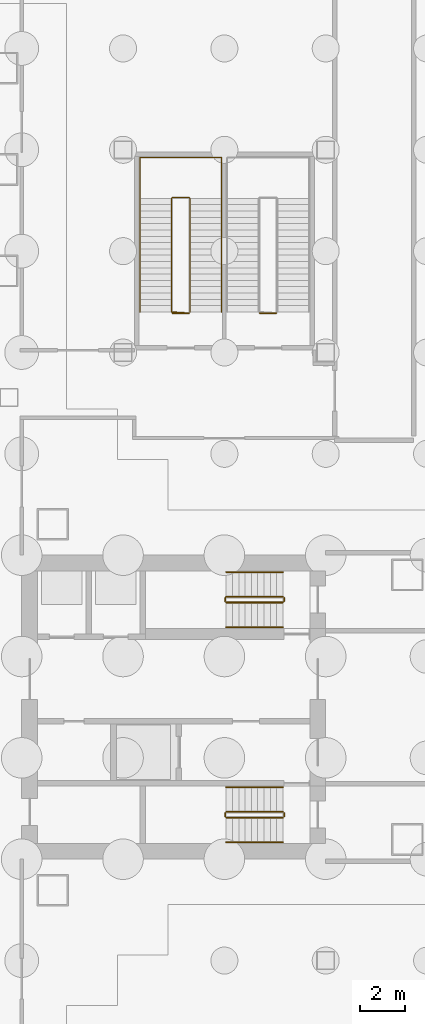
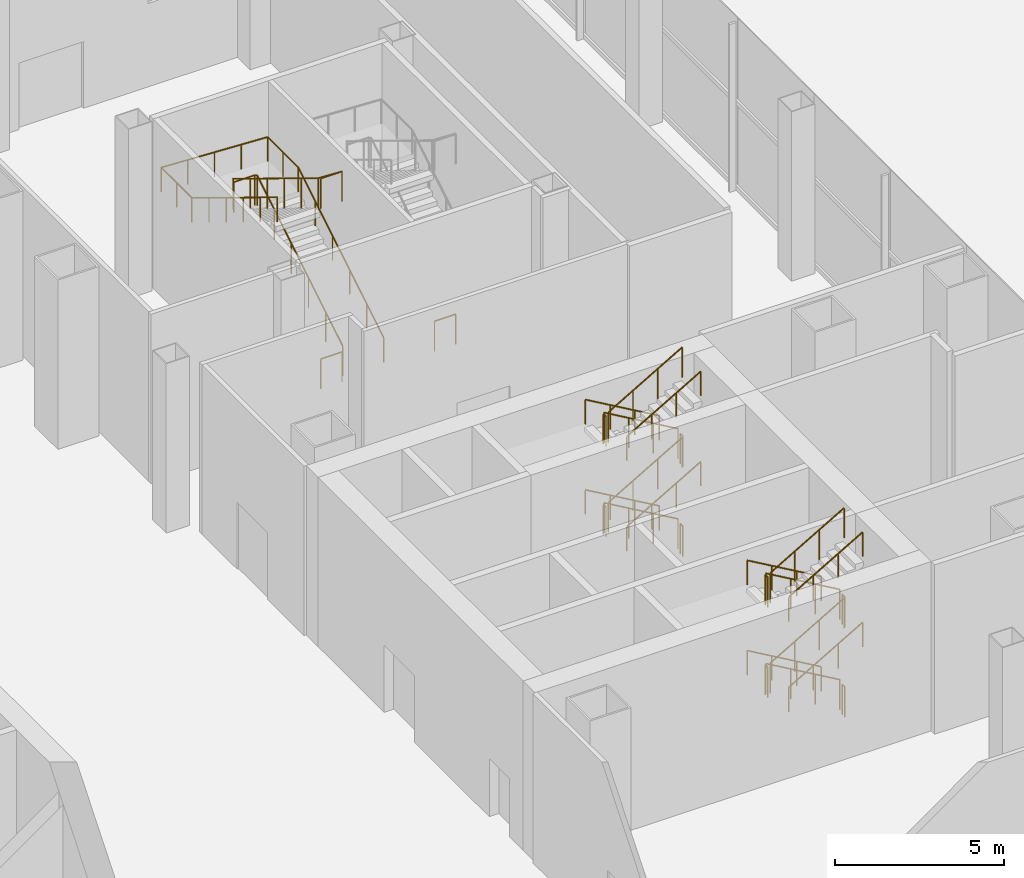
# One storey, part 35 of 37: 28 railings.
"""IFC4 building model written with IfcOpenShell, lengths in metres."""

from ifc_helpers import new_model, si_unit, direction, frame, origin, origin_2d, place, context, subcontext, project, spatial, circle, extrude, material, type_object, element, save


model = new_model("IFC4")

# Units and contexts
model_context = context("Model", 3, precision=1e-05, world=origin(), true_north=direction((0.0, 1.0)))
body_context = subcontext(model_context, "Body", "Model", "MODEL_VIEW")
ifc_project = project(units=[si_unit("LENGTHUNIT", "METRE"), si_unit("AREAUNIT", "SQUARE_METRE"), si_unit("VOLUMEUNIT", "CUBIC_METRE"), si_unit("PLANEANGLEUNIT", "RADIAN"), si_unit("MASSUNIT", "GRAM", prefix="KILO")], contexts=[model_context])

# Site, building, storey
site_placement = place(None, origin())
site = spatial("IfcSite", under=ifc_project, at=site_placement, CompositionType="ELEMENT")
building_placement = place(site_placement, origin())
building = spatial("IfcBuilding", under=site, at=building_placement, Name="Shamsa Quay Exchange Towers", CompositionType="ELEMENT")
storey_placement = place(building_placement, origin())
storey = spatial("IfcBuildingStorey", under=building, at=storey_placement, Name="L00", CompositionType="ELEMENT", Elevation=0.0)

# Railings
ifc_material = material(Name="Stainless steel", Category="steel")
railing_type_1 = type_object("IfcRailingType", Name="STAIR GUARD 1100", PredefinedType="GUARDRAIL", material=ifc_material)
railing_1_placement = place(storey_placement, frame((52.10009765625, -4.64990234375, 0.16259765625)))
element("IfcRailing", 1, at=railing_1_placement, inside=storey, type_object=railing_type_1, Name="L00 ST5 stair guard 1", PredefinedType="GUARDRAIL", context=body_context, shape_type="SweptSolid", body=[
    extrude(circle(Radius=0.02392578125, at=origin_2d()), frame((0.0, 0.0, 1.076171875), z_axis=(-0.864913338283, 0.0, 0.50192122615), x_axis=(0.0, -1.0, 0.0)), (0.0, 0.0, 1.0), 2.91357421875),
    extrude(circle(Radius=0.02099609375, at=origin_2d()), origin(), (0.0, 0.0, 1.0), 1.052001953125),
    extrude(circle(Radius=0.02099609375, at=origin_2d()), frame((-0.840087890625, 0.0, 0.487548828125)), (0.0, 0.0, 1.0), 1.052001953125),
    extrude(circle(Radius=0.02099609375, at=origin_2d()), frame((-1.679931640625, 0.0, 0.974853515625)), (0.0, 0.0, 1.0), 1.052001953125),
    extrude(circle(Radius=0.02099609375, at=origin_2d()), frame((-2.52001953125, 0.0, 1.46240234375)), (0.0, 0.0, 1.0), 1.052001953125),
])
railing_2_placement = place(storey_placement, frame((49.530029296875, -4.699951171875, 1.625)))
element("IfcRailing", 2, at=railing_2_placement, inside=storey, type_object=railing_type_1, Name="L00 ST5 stair guard 2", PredefinedType="GUARDRAIL", context=body_context, shape_type="SweptSolid", body=[
    extrude(circle(Radius=0.02392578125, at=origin_2d()), frame((0.0, 0.0, 1.076171875), z_axis=(0.0, -1.0, 0.0), x_axis=(1.0, 0.0, 0.0)), (0.0, 0.0, 1.0), 0.150146484375),
    extrude(circle(Radius=0.02099609375, at=origin_2d()), origin(), (0.0, 0.0, 1.0), 1.052001953125),
    extrude(circle(Radius=0.02099609375, at=origin_2d()), frame((0.0, -0.150146484375, 0.0)), (0.0, 0.0, 1.0), 1.052001953125),
])
railing_3_placement = place(storey_placement, frame((49.580078125, -4.89990234375, 1.78759765625)))
element("IfcRailing", 3, at=railing_3_placement, inside=storey, type_object=railing_type_1, Name="L00 ST5 stair guard 3", PredefinedType="GUARDRAIL", context=body_context, shape_type="SweptSolid", body=[
    extrude(circle(Radius=0.02392578125, at=origin_2d()), frame((0.0, 0.0, 1.076171875), z_axis=(0.864913338283, 0.0, 0.50192122615), x_axis=(0.0, 1.0, 0.0)), (0.0, 0.0, 1.0), 2.91357421875),
    extrude(circle(Radius=0.02099609375, at=origin_2d()), origin(), (0.0, 0.0, 1.0), 1.052001953125),
    extrude(circle(Radius=0.02099609375, at=origin_2d()), frame((0.840087890625, 0.0, 0.487548828125)), (0.0, 0.0, 1.0), 1.052001953125),
    extrude(circle(Radius=0.02099609375, at=origin_2d()), frame((1.679931640625, 0.0, 0.974853515625)), (0.0, 0.0, 1.0), 1.052001953125),
    extrude(circle(Radius=0.02099609375, at=origin_2d()), frame((2.52001953125, 0.0, 1.46240234375)), (0.0, 0.0, 1.0), 1.052001953125),
])
railing_4_placement = place(storey_placement, frame((52.14990234375, -4.699951171875, 3.25)))
element("IfcRailing", 4, at=railing_4_placement, inside=storey, type_object=railing_type_1, Name="L00 ST5 stair guard 4", PredefinedType="GUARDRAIL", context=body_context, shape_type="SweptSolid", body=[
    extrude(circle(Radius=0.02392578125, at=origin_2d()), frame((0.0, 0.0, 1.076171875), z_axis=(0.0, -1.0, 0.0), x_axis=(1.0, 0.0, 0.0)), (0.0, 0.0, 1.0), 0.150146484375),
    extrude(circle(Radius=0.02099609375, at=origin_2d()), origin(), (0.0, 0.0, 1.0), 1.052001953125),
    extrude(circle(Radius=0.02099609375, at=origin_2d()), frame((0.0, -0.150146484375, 0.0)), (0.0, 0.0, 1.0), 1.052001953125),
])
railing_5_placement = place(storey_placement, frame((52.10009765625, -4.64990234375, 3.41259765625)))
element("IfcRailing", 5, at=railing_5_placement, inside=storey, type_object=railing_type_1, Name="L00 ST5 stair guard 5", PredefinedType="GUARDRAIL", context=body_context, shape_type="SweptSolid", body=[
    extrude(circle(Radius=0.02392578125, at=origin_2d()), frame((0.0, 0.0, 1.076171875), z_axis=(-0.864913338283, 0.0, 0.50192122615), x_axis=(0.0, -1.0, 0.0)), (0.0, 0.0, 1.0), 2.91357421875),
    extrude(circle(Radius=0.02099609375, at=origin_2d()), origin(), (0.0, 0.0, 1.0), 1.052001953125),
    extrude(circle(Radius=0.02099609375, at=origin_2d()), frame((-0.840087890625, 0.0, 0.487548828125)), (0.0, 0.0, 1.0), 1.052001953125),
    extrude(circle(Radius=0.02099609375, at=origin_2d()), frame((-1.679931640625, 0.0, 0.974853515625)), (0.0, 0.0, 1.0), 1.052001953125),
    extrude(circle(Radius=0.02099609375, at=origin_2d()), frame((-2.52001953125, 0.0, 1.46240234375)), (0.0, 0.0, 1.0), 1.052001953125),
])
railing_6_placement = place(storey_placement, frame((49.530029296875, -4.699951171875, 4.875)))
element("IfcRailing", 6, at=railing_6_placement, inside=storey, type_object=railing_type_1, Name="L00 ST5 stair guard 6", PredefinedType="GUARDRAIL", context=body_context, shape_type="SweptSolid", body=[
    extrude(circle(Radius=0.02392578125, at=origin_2d()), frame((0.0, 0.0, 1.076171875), z_axis=(0.0, -1.0, 0.0), x_axis=(1.0, 0.0, 0.0)), (0.0, 0.0, 1.0), 0.150146484375),
    extrude(circle(Radius=0.02099609375, at=origin_2d()), origin(), (0.0, 0.0, 1.0), 1.052001953125),
    extrude(circle(Radius=0.02099609375, at=origin_2d()), frame((0.0, -0.150146484375, 0.0)), (0.0, 0.0, 1.0), 1.052001953125),
])
railing_7_placement = place(storey_placement, frame((49.580078125, -4.89990234375, 5.03759765625)))
element("IfcRailing", 7, at=railing_7_placement, inside=storey, type_object=railing_type_1, Name="L00 ST5 stair guard 7", PredefinedType="GUARDRAIL", context=body_context, shape_type="SweptSolid", body=[
    extrude(circle(Radius=0.02392578125, at=origin_2d()), frame((0.0, 0.0, 1.076171875), z_axis=(0.864913338283, 0.0, 0.50192122615), x_axis=(0.0, 1.0, 0.0)), (0.0, 0.0, 1.0), 2.91357421875),
    extrude(circle(Radius=0.02099609375, at=origin_2d()), origin(), (0.0, 0.0, 1.0), 1.052001953125),
    extrude(circle(Radius=0.02099609375, at=origin_2d()), frame((0.840087890625, 0.0, 0.487548828125)), (0.0, 0.0, 1.0), 1.052001953125),
    extrude(circle(Radius=0.02099609375, at=origin_2d()), frame((1.679931640625, 0.0, 0.974853515625)), (0.0, 0.0, 1.0), 1.052001953125),
    extrude(circle(Radius=0.02099609375, at=origin_2d()), frame((2.52001953125, 0.0, 1.46240234375)), (0.0, 0.0, 1.0), 1.052001953125),
])
railing_8_placement = place(storey_placement, frame((52.14990234375, -4.699951171875, 0.0)))
element("IfcRailing", 8, at=railing_8_placement, inside=storey, type_object=railing_type_1, Name="L00 ST5 stair guard 8", PredefinedType="GUARDRAIL", context=body_context, shape_type="SweptSolid", body=[
    extrude(circle(Radius=0.02392578125, at=origin_2d()), frame((0.0, 0.0, 1.076171875), z_axis=(0.0, -1.0, 0.0), x_axis=(1.0, 0.0, 0.0)), (0.0, 0.0, 1.0), 0.150146484375),
    extrude(circle(Radius=0.02099609375, at=origin_2d()), origin(), (0.0, 0.0, 1.0), 1.052001953125),
    extrude(circle(Radius=0.02099609375, at=origin_2d()), frame((0.0, -0.150146484375, 0.0)), (0.0, 0.0, 1.0), 1.052001953125),
])
railing_9_placement = place(storey_placement, frame((52.10009765625, 4.89990234375, 0.16259765625)))
element("IfcRailing", 9, at=railing_9_placement, inside=storey, type_object=railing_type_1, Name="L00 ST6 stair guard 1", PredefinedType="GUARDRAIL", context=body_context, shape_type="SweptSolid", body=[
    extrude(circle(Radius=0.02392578125, at=origin_2d()), frame((0.0, 0.0, 1.076171875), z_axis=(-0.864913338283, 0.0, 0.50192122615), x_axis=(0.0, -1.0, 0.0)), (0.0, 0.0, 1.0), 2.91357421875),
    extrude(circle(Radius=0.02099609375, at=origin_2d()), origin(), (0.0, 0.0, 1.0), 1.052001953125),
    extrude(circle(Radius=0.02099609375, at=origin_2d()), frame((-0.840087890625, 0.0, 0.487548828125)), (0.0, 0.0, 1.0), 1.052001953125),
    extrude(circle(Radius=0.02099609375, at=origin_2d()), frame((-1.679931640625, 0.0, 0.974853515625)), (0.0, 0.0, 1.0), 1.052001953125),
    extrude(circle(Radius=0.02099609375, at=origin_2d()), frame((-2.52001953125, 0.0, 1.46240234375)), (0.0, 0.0, 1.0), 1.052001953125),
])
railing_10_placement = place(storey_placement, frame((49.530029296875, 4.85009765625, 1.625)))
element("IfcRailing", 10, at=railing_10_placement, inside=storey, type_object=railing_type_1, Name="L00 ST6 stair guard 2", PredefinedType="GUARDRAIL", context=body_context, shape_type="SweptSolid", body=[
    extrude(circle(Radius=0.02392578125, at=origin_2d()), frame((0.0, 0.0, 1.076171875), z_axis=(0.0, -1.0, 0.0), x_axis=(1.0, 0.0, 0.0)), (0.0, 0.0, 1.0), 0.150146484375),
    extrude(circle(Radius=0.02099609375, at=origin_2d()), origin(), (0.0, 0.0, 1.0), 1.052001953125),
    extrude(circle(Radius=0.02099609375, at=origin_2d()), frame((0.0, -0.150146484375, 0.0)), (0.0, 0.0, 1.0), 1.052001953125),
])
railing_11_placement = place(storey_placement, frame((49.580078125, 4.64990234375, 1.78759765625)))
element("IfcRailing", 11, at=railing_11_placement, inside=storey, type_object=railing_type_1, Name="L00 ST6 stair guard 3", PredefinedType="GUARDRAIL", context=body_context, shape_type="SweptSolid", body=[
    extrude(circle(Radius=0.02392578125, at=origin_2d()), frame((0.0, 0.0, 1.076171875), z_axis=(0.864913338283, 0.0, 0.50192122615), x_axis=(0.0, 1.0, 0.0)), (0.0, 0.0, 1.0), 2.91357421875),
    extrude(circle(Radius=0.02099609375, at=origin_2d()), origin(), (0.0, 0.0, 1.0), 1.052001953125),
    extrude(circle(Radius=0.02099609375, at=origin_2d()), frame((0.840087890625, 0.0, 0.487548828125)), (0.0, 0.0, 1.0), 1.052001953125),
    extrude(circle(Radius=0.02099609375, at=origin_2d()), frame((1.679931640625, 0.0, 0.974853515625)), (0.0, 0.0, 1.0), 1.052001953125),
    extrude(circle(Radius=0.02099609375, at=origin_2d()), frame((2.52001953125, 0.0, 1.46240234375)), (0.0, 0.0, 1.0), 1.052001953125),
])
railing_12_placement = place(storey_placement, frame((52.14990234375, 4.85009765625, 3.25)))
element("IfcRailing", 12, at=railing_12_placement, inside=storey, type_object=railing_type_1, Name="L00 ST6 stair guard 4", PredefinedType="GUARDRAIL", context=body_context, shape_type="SweptSolid", body=[
    extrude(circle(Radius=0.02392578125, at=origin_2d()), frame((0.0, 0.0, 1.076171875), z_axis=(0.0, -1.0, 0.0), x_axis=(1.0, 0.0, 0.0)), (0.0, 0.0, 1.0), 0.150146484375),
    extrude(circle(Radius=0.02099609375, at=origin_2d()), origin(), (0.0, 0.0, 1.0), 1.052001953125),
    extrude(circle(Radius=0.02099609375, at=origin_2d()), frame((0.0, -0.150146484375, 0.0)), (0.0, 0.0, 1.0), 1.052001953125),
])
railing_13_placement = place(storey_placement, frame((52.10009765625, 4.89990234375, 3.41259765625)))
element("IfcRailing", 13, at=railing_13_placement, inside=storey, type_object=railing_type_1, Name="L00 ST6 stair guard 5", PredefinedType="GUARDRAIL", context=body_context, shape_type="SweptSolid", body=[
    extrude(circle(Radius=0.02392578125, at=origin_2d()), frame((0.0, 0.0, 1.076171875), z_axis=(-0.864913338283, 0.0, 0.50192122615), x_axis=(0.0, -1.0, 0.0)), (0.0, 0.0, 1.0), 2.91357421875),
    extrude(circle(Radius=0.02099609375, at=origin_2d()), origin(), (0.0, 0.0, 1.0), 1.052001953125),
    extrude(circle(Radius=0.02099609375, at=origin_2d()), frame((-0.840087890625, 0.0, 0.487548828125)), (0.0, 0.0, 1.0), 1.052001953125),
    extrude(circle(Radius=0.02099609375, at=origin_2d()), frame((-1.679931640625, 0.0, 0.974853515625)), (0.0, 0.0, 1.0), 1.052001953125),
    extrude(circle(Radius=0.02099609375, at=origin_2d()), frame((-2.52001953125, 0.0, 1.46240234375)), (0.0, 0.0, 1.0), 1.052001953125),
])
railing_14_placement = place(storey_placement, frame((49.530029296875, 4.85009765625, 4.875)))
element("IfcRailing", 14, at=railing_14_placement, inside=storey, type_object=railing_type_1, Name="L00 ST6 stair guard 6", PredefinedType="GUARDRAIL", context=body_context, shape_type="SweptSolid", body=[
    extrude(circle(Radius=0.02392578125, at=origin_2d()), frame((0.0, 0.0, 1.076171875), z_axis=(0.0, -1.0, 0.0), x_axis=(1.0, 0.0, 0.0)), (0.0, 0.0, 1.0), 0.150146484375),
    extrude(circle(Radius=0.02099609375, at=origin_2d()), origin(), (0.0, 0.0, 1.0), 1.052001953125),
    extrude(circle(Radius=0.02099609375, at=origin_2d()), frame((0.0, -0.150146484375, 0.0)), (0.0, 0.0, 1.0), 1.052001953125),
])
railing_15_placement = place(storey_placement, frame((49.580078125, 4.64990234375, 5.03759765625)))
element("IfcRailing", 15, at=railing_15_placement, inside=storey, type_object=railing_type_1, Name="L00 ST6 stair guard 7", PredefinedType="GUARDRAIL", context=body_context, shape_type="SweptSolid", body=[
    extrude(circle(Radius=0.02392578125, at=origin_2d()), frame((0.0, 0.0, 1.076171875), z_axis=(0.864913338283, 0.0, 0.50192122615), x_axis=(0.0, 1.0, 0.0)), (0.0, 0.0, 1.0), 2.91357421875),
    extrude(circle(Radius=0.02099609375, at=origin_2d()), origin(), (0.0, 0.0, 1.0), 1.052001953125),
    extrude(circle(Radius=0.02099609375, at=origin_2d()), frame((0.840087890625, 0.0, 0.487548828125)), (0.0, 0.0, 1.0), 1.052001953125),
    extrude(circle(Radius=0.02099609375, at=origin_2d()), frame((1.679931640625, 0.0, 0.974853515625)), (0.0, 0.0, 1.0), 1.052001953125),
    extrude(circle(Radius=0.02099609375, at=origin_2d()), frame((2.52001953125, 0.0, 1.46240234375)), (0.0, 0.0, 1.0), 1.052001953125),
])
railing_16_placement = place(storey_placement, frame((52.14990234375, 4.85009765625, 0.0)))
element("IfcRailing", 16, at=railing_16_placement, inside=storey, type_object=railing_type_1, Name="L00 ST6 stair guard 8", PredefinedType="GUARDRAIL", context=body_context, shape_type="SweptSolid", body=[
    extrude(circle(Radius=0.02392578125, at=origin_2d()), frame((0.0, 0.0, 1.076171875), z_axis=(0.0, -1.0, 0.0), x_axis=(1.0, 0.0, 0.0)), (0.0, 0.0, 1.0), 0.150146484375),
    extrude(circle(Radius=0.02099609375, at=origin_2d()), origin(), (0.0, 0.0, 1.0), 1.052001953125),
    extrude(circle(Radius=0.02099609375, at=origin_2d()), frame((0.0, -0.150146484375, 0.0)), (0.0, 0.0, 1.0), 1.052001953125),
])
railing_17_placement = place(storey_placement, frame((47.97509765625, 17.550048828125, 0.171142578125)))
element("IfcRailing", 17, at=railing_17_placement, inside=storey, type_object=railing_type_1, Name="L00 PS4A stair guard 1", PredefinedType="GUARDRAIL", context=body_context, shape_type="SweptSolid", body=[
    extrude(circle(Radius=0.02392578125, at=origin_2d()), frame((0.0, 0.0, 1.076171875), z_axis=(0.0, 0.853369698388, 0.521306203564), x_axis=(-1.0, 0.0, 0.0)), (0.0, 0.0, 1.0), 5.906005859375),
    extrude(circle(Radius=0.02392578125, at=origin_2d()), frame((0.0, 5.0400390625, 4.15478515625), z_axis=(-0.708833529934, 0.705375805398, 0.0), x_axis=(-0.705375805398, -0.708833529934, 0.0)), (0.0, 0.0, 1.0), 0.070556640625),
    extrude(circle(Radius=0.02392578125, at=origin_2d()), frame((-0.050048828125, 5.08984375, 4.15478515625), z_axis=(-1.0, 0.0, 0.0), x_axis=(0.0, -1.0, 0.0)), (0.0, 0.0, 1.0), 0.72509765625),
    extrude(circle(Radius=0.02392578125, at=origin_2d()), frame((-0.775146484375, 5.08984375, 4.15478515625), z_axis=(-0.270336121127, -0.269017408341, 0.924417662977), x_axis=(0.705375805398, -0.708833529934, 0.0)), (0.0, 0.0, 1.0), 0.18505859375),
    extrude(circle(Radius=0.02392578125, at=origin_2d()), frame((-0.8251953125, 5.0400390625, 4.326171875), z_axis=(0.0, -0.853369698388, 0.521306203564), x_axis=(1.0, 0.0, 0.0)), (0.0, 0.0, 1.0), 5.906005859375),
    extrude(circle(Radius=0.02392578125, at=origin_2d()), frame((-0.8251953125, 0.0, 7.40478515625), z_axis=(0.997922050633, -0.064432762324, 0.0), x_axis=(0.064432762324, 0.997922050633, 0.0)), (0.0, 0.0, 1.0), 0.77685546875),
    extrude(circle(Radius=0.02392578125, at=origin_2d()), frame((-0.050048828125, -0.050048828125, 7.40478515625), z_axis=(-1.0, 0.0, 0.0), x_axis=(0.0, -1.0, 0.0)), (0.0, 0.0, 1.0), 0.72509765625),
    extrude(circle(Radius=0.02099609375, at=origin_2d()), origin(), (0.0, 0.0, 1.0), 1.052001953125),
    extrude(circle(Radius=0.02099609375, at=origin_2d()), frame((0.0, 1.008056640625, 0.61572265625)), (0.0, 0.0, 1.0), 1.052001953125),
    extrude(circle(Radius=0.02099609375, at=origin_2d()), frame((0.0, 2.01611328125, 1.2314453125)), (0.0, 0.0, 1.0), 1.052001953125),
    extrude(circle(Radius=0.02099609375, at=origin_2d()), frame((0.0, 3.02392578125, 1.847412109375)), (0.0, 0.0, 1.0), 1.052001953125),
    extrude(circle(Radius=0.02099609375, at=origin_2d()), frame((0.0, 4.031982421875, 2.463134765625)), (0.0, 0.0, 1.0), 1.052001953125),
    extrude(circle(Radius=0.02099609375, at=origin_2d()), frame((0.0, 5.0400390625, 3.078857421875)), (0.0, 0.0, 1.0), 1.052001953125),
    extrude(circle(Radius=0.02099609375, at=origin_2d()), frame((-0.050048828125, 5.08984375, 3.078857421875)), (0.0, 0.0, 1.0), 1.052001953125),
    extrude(circle(Radius=0.02099609375, at=origin_2d()), frame((-0.775146484375, 5.08984375, 3.078857421875)), (0.0, 0.0, 1.0), 1.052001953125),
    extrude(circle(Radius=0.02099609375, at=origin_2d()), frame((-0.8251953125, 5.0400390625, 3.25)), (0.0, 0.0, 1.0), 1.052001953125),
    extrude(circle(Radius=0.02099609375, at=origin_2d()), frame((-0.8251953125, 4.031982421875, 3.86572265625)), (0.0, 0.0, 1.0), 1.052001953125),
    extrude(circle(Radius=0.02099609375, at=origin_2d()), frame((-0.8251953125, 3.02392578125, 4.4814453125)), (0.0, 0.0, 1.0), 1.052001953125),
    extrude(circle(Radius=0.02099609375, at=origin_2d()), frame((-0.8251953125, 2.01611328125, 5.097412109375)), (0.0, 0.0, 1.0), 1.052001953125),
    extrude(circle(Radius=0.02099609375, at=origin_2d()), frame((-0.8251953125, 1.008056640625, 5.713134765625)), (0.0, 0.0, 1.0), 1.052001953125),
    extrude(circle(Radius=0.02099609375, at=origin_2d()), frame((-0.8251953125, 0.0, 6.328857421875)), (0.0, 0.0, 1.0), 1.052001953125),
    extrude(circle(Radius=0.02099609375, at=origin_2d()), frame((-0.050048828125, -0.050048828125, 6.328857421875)), (0.0, 0.0, 1.0), 1.052001953125),
    extrude(circle(Radius=0.02099609375, at=origin_2d()), frame((-0.775146484375, -0.050048828125, 6.328857421875)), (0.0, 0.0, 1.0), 1.052001953125),
])
for number, where, name in (
    (18, (47.925048828125, 17.5, 0.0), "L00 PS4A stair guard 2"),
    (19, (51.800048828125, 17.5, 0.0), "L00 PS4B stair guard 2"),
):
    element("IfcRailing", number, at=place(storey_placement, frame(where)), inside=storey, type_object=railing_type_1, Name=name, PredefinedType="GUARDRAIL", context=body_context, shape_type="SweptSolid", body=[
        extrude(circle(Radius=0.02392578125, at=origin_2d()), frame((0.0, 0.0, 1.076171875), z_axis=(-1.0, 0.0, 0.0), x_axis=(0.0, -1.0, 0.0)), (0.0, 0.0, 1.0), 0.72509765625),
        extrude(circle(Radius=0.02099609375, at=origin_2d()), origin(), (0.0, 0.0, 1.0), 1.052001953125),
        extrude(circle(Radius=0.02099609375, at=origin_2d()), frame((-0.72509765625, 0.0, 0.0)), (0.0, 0.0, 1.0), 1.052001953125),
    ])
railing_type_2 = type_object("IfcRailingType", Name="STAIR HANDRAIL 900", PredefinedType="HANDRAIL", material=ifc_material)
railing_18_placement = place(storey_placement, frame((52.10009765625, -3.550048828125, 0.16259765625)))
element("IfcRailing", 20, at=railing_18_placement, inside=storey, type_object=railing_type_2, Name="L00 ST5 stair handrail 1", PredefinedType="HANDRAIL", context=body_context, shape_type="SweptSolid", body=[
    extrude(circle(Radius=0.02392578125, at=origin_2d()), frame((0.0, 0.0, 0.8759765625), z_axis=(-0.864913338283, 0.0, 0.50192122615), x_axis=(0.0, -1.0, 0.0)), (0.0, 0.0, 1.0), 2.91357421875),
    extrude(circle(Radius=0.02099609375, at=origin_2d()), origin(), (0.0, 0.0, 1.0), 0.851806640625),
    extrude(circle(Radius=0.02099609375, at=origin_2d()), frame((-0.840087890625, 0.0, 0.487548828125)), (0.0, 0.0, 1.0), 0.851806640625),
    extrude(circle(Radius=0.02099609375, at=origin_2d()), frame((-1.679931640625, 0.0, 0.974853515625)), (0.0, 0.0, 1.0), 0.851806640625),
    extrude(circle(Radius=0.02099609375, at=origin_2d()), frame((-2.52001953125, 0.0, 1.46240234375)), (0.0, 0.0, 1.0), 0.851806640625),
])
railing_19_placement = place(storey_placement, frame((49.580078125, -6.0, 1.78759765625)))
element("IfcRailing", 21, at=railing_19_placement, inside=storey, type_object=railing_type_2, Name="L00 ST5 stair handrail 2", PredefinedType="HANDRAIL", context=body_context, shape_type="SweptSolid", body=[
    extrude(circle(Radius=0.02392578125, at=origin_2d()), frame((0.0, 0.0, 0.8759765625), z_axis=(0.864913338283, 0.0, 0.50192122615), x_axis=(0.0, 1.0, 0.0)), (0.0, 0.0, 1.0), 2.91357421875),
    extrude(circle(Radius=0.02099609375, at=origin_2d()), origin(), (0.0, 0.0, 1.0), 0.851806640625),
    extrude(circle(Radius=0.02099609375, at=origin_2d()), frame((0.840087890625, 0.0, 0.487548828125)), (0.0, 0.0, 1.0), 0.851806640625),
    extrude(circle(Radius=0.02099609375, at=origin_2d()), frame((1.679931640625, 0.0, 0.974853515625)), (0.0, 0.0, 1.0), 0.851806640625),
    extrude(circle(Radius=0.02099609375, at=origin_2d()), frame((2.52001953125, 0.0, 1.46240234375)), (0.0, 0.0, 1.0), 0.851806640625),
])
railing_20_placement = place(storey_placement, frame((52.10009765625, -3.550048828125, 3.41259765625)))
element("IfcRailing", 22, at=railing_20_placement, inside=storey, type_object=railing_type_2, Name="L00 ST5 stair handrail 3", PredefinedType="HANDRAIL", context=body_context, shape_type="SweptSolid", body=[
    extrude(circle(Radius=0.02392578125, at=origin_2d()), frame((0.0, 0.0, 0.8759765625), z_axis=(-0.864913338283, 0.0, 0.50192122615), x_axis=(0.0, -1.0, 0.0)), (0.0, 0.0, 1.0), 2.91357421875),
    extrude(circle(Radius=0.02099609375, at=origin_2d()), origin(), (0.0, 0.0, 1.0), 0.851806640625),
    extrude(circle(Radius=0.02099609375, at=origin_2d()), frame((-0.840087890625, 0.0, 0.487548828125)), (0.0, 0.0, 1.0), 0.851806640625),
    extrude(circle(Radius=0.02099609375, at=origin_2d()), frame((-1.679931640625, 0.0, 0.974853515625)), (0.0, 0.0, 1.0), 0.851806640625),
    extrude(circle(Radius=0.02099609375, at=origin_2d()), frame((-2.52001953125, 0.0, 1.46240234375)), (0.0, 0.0, 1.0), 0.851806640625),
])
railing_21_placement = place(storey_placement, frame((49.580078125, -6.0, 5.03759765625)))
element("IfcRailing", 23, at=railing_21_placement, inside=storey, type_object=railing_type_2, Name="L00 ST5 stair handrail 4", PredefinedType="HANDRAIL", context=body_context, shape_type="SweptSolid", body=[
    extrude(circle(Radius=0.02392578125, at=origin_2d()), frame((0.0, 0.0, 0.8759765625), z_axis=(0.864913338283, 0.0, 0.50192122615), x_axis=(0.0, 1.0, 0.0)), (0.0, 0.0, 1.0), 2.91357421875),
    extrude(circle(Radius=0.02099609375, at=origin_2d()), origin(), (0.0, 0.0, 1.0), 0.851806640625),
    extrude(circle(Radius=0.02099609375, at=origin_2d()), frame((0.840087890625, 0.0, 0.487548828125)), (0.0, 0.0, 1.0), 0.851806640625),
    extrude(circle(Radius=0.02099609375, at=origin_2d()), frame((1.679931640625, 0.0, 0.974853515625)), (0.0, 0.0, 1.0), 0.851806640625),
    extrude(circle(Radius=0.02099609375, at=origin_2d()), frame((2.52001953125, 0.0, 1.46240234375)), (0.0, 0.0, 1.0), 0.851806640625),
])
railing_22_placement = place(storey_placement, frame((52.10009765625, 6.0, 0.16259765625)))
element("IfcRailing", 24, at=railing_22_placement, inside=storey, type_object=railing_type_2, Name="L00 ST6 stair handrail 1", PredefinedType="HANDRAIL", context=body_context, shape_type="SweptSolid", body=[
    extrude(circle(Radius=0.02392578125, at=origin_2d()), frame((0.0, 0.0, 0.8759765625), z_axis=(-0.864913338283, 0.0, 0.50192122615), x_axis=(0.0, -1.0, 0.0)), (0.0, 0.0, 1.0), 2.91357421875),
    extrude(circle(Radius=0.02099609375, at=origin_2d()), origin(), (0.0, 0.0, 1.0), 0.851806640625),
    extrude(circle(Radius=0.02099609375, at=origin_2d()), frame((-0.840087890625, 0.0, 0.487548828125)), (0.0, 0.0, 1.0), 0.851806640625),
    extrude(circle(Radius=0.02099609375, at=origin_2d()), frame((-1.679931640625, 0.0, 0.974853515625)), (0.0, 0.0, 1.0), 0.851806640625),
    extrude(circle(Radius=0.02099609375, at=origin_2d()), frame((-2.52001953125, 0.0, 1.46240234375)), (0.0, 0.0, 1.0), 0.851806640625),
])
railing_23_placement = place(storey_placement, frame((49.580078125, 3.550048828125, 1.78759765625)))
element("IfcRailing", 25, at=railing_23_placement, inside=storey, type_object=railing_type_2, Name="L00 ST6 stair handrail 2", PredefinedType="HANDRAIL", context=body_context, shape_type="SweptSolid", body=[
    extrude(circle(Radius=0.02392578125, at=origin_2d()), frame((0.0, 0.0, 0.8759765625), z_axis=(0.864913338283, 0.0, 0.50192122615), x_axis=(0.0, 1.0, 0.0)), (0.0, 0.0, 1.0), 2.91357421875),
    extrude(circle(Radius=0.02099609375, at=origin_2d()), origin(), (0.0, 0.0, 1.0), 0.851806640625),
    extrude(circle(Radius=0.02099609375, at=origin_2d()), frame((0.840087890625, 0.0, 0.487548828125)), (0.0, 0.0, 1.0), 0.851806640625),
    extrude(circle(Radius=0.02099609375, at=origin_2d()), frame((1.679931640625, 0.0, 0.974853515625)), (0.0, 0.0, 1.0), 0.851806640625),
    extrude(circle(Radius=0.02099609375, at=origin_2d()), frame((2.52001953125, 0.0, 1.46240234375)), (0.0, 0.0, 1.0), 0.851806640625),
])
railing_24_placement = place(storey_placement, frame((52.10009765625, 6.0, 3.41259765625)))
element("IfcRailing", 26, at=railing_24_placement, inside=storey, type_object=railing_type_2, Name="L00 ST6 stair handrail 3", PredefinedType="HANDRAIL", context=body_context, shape_type="SweptSolid", body=[
    extrude(circle(Radius=0.02392578125, at=origin_2d()), frame((0.0, 0.0, 0.8759765625), z_axis=(-0.864913338283, 0.0, 0.50192122615), x_axis=(0.0, -1.0, 0.0)), (0.0, 0.0, 1.0), 2.91357421875),
    extrude(circle(Radius=0.02099609375, at=origin_2d()), origin(), (0.0, 0.0, 1.0), 0.851806640625),
    extrude(circle(Radius=0.02099609375, at=origin_2d()), frame((-0.840087890625, 0.0, 0.487548828125)), (0.0, 0.0, 1.0), 0.851806640625),
    extrude(circle(Radius=0.02099609375, at=origin_2d()), frame((-1.679931640625, 0.0, 0.974853515625)), (0.0, 0.0, 1.0), 0.851806640625),
    extrude(circle(Radius=0.02099609375, at=origin_2d()), frame((-2.52001953125, 0.0, 1.46240234375)), (0.0, 0.0, 1.0), 0.851806640625),
])
railing_25_placement = place(storey_placement, frame((49.580078125, 3.550048828125, 5.03759765625)))
element("IfcRailing", 27, at=railing_25_placement, inside=storey, type_object=railing_type_2, Name="L00 ST6 stair handrail 4", PredefinedType="HANDRAIL", context=body_context, shape_type="SweptSolid", body=[
    extrude(circle(Radius=0.02392578125, at=origin_2d()), frame((0.0, 0.0, 0.8759765625), z_axis=(0.864913338283, 0.0, 0.50192122615), x_axis=(0.0, 1.0, 0.0)), (0.0, 0.0, 1.0), 2.91357421875),
    extrude(circle(Radius=0.02099609375, at=origin_2d()), origin(), (0.0, 0.0, 1.0), 0.851806640625),
    extrude(circle(Radius=0.02099609375, at=origin_2d()), frame((0.840087890625, 0.0, 0.487548828125)), (0.0, 0.0, 1.0), 0.851806640625),
    extrude(circle(Radius=0.02099609375, at=origin_2d()), frame((1.679931640625, 0.0, 0.974853515625)), (0.0, 0.0, 1.0), 0.851806640625),
    extrude(circle(Radius=0.02099609375, at=origin_2d()), frame((2.52001953125, 0.0, 1.46240234375)), (0.0, 0.0, 1.0), 0.851806640625),
])
railing_26_placement = place(storey_placement, frame((49.375, 17.550048828125, 0.171142578125)))
element("IfcRailing", 28, at=railing_26_placement, inside=storey, type_object=railing_type_2, Name="L00 PS4A stair handrail 1", PredefinedType="HANDRAIL", context=body_context, shape_type="SweptSolid", body=[
    extrude(circle(Radius=0.02392578125, at=origin_2d()), frame((0.0, 0.0, 0.8759765625), z_axis=(0.0, 0.853369698388, 0.521306203564), x_axis=(-1.0, 0.0, 0.0)), (0.0, 0.0, 1.0), 5.906005859375),
    extrude(circle(Radius=0.02392578125, at=origin_2d()), frame((0.0, 5.0400390625, 3.95458984375), z_axis=(0.0, 1.0, 0.0), x_axis=(-1.0, 0.0, 0.0)), (0.0, 0.0, 1.0), 1.809814453125),
    extrude(circle(Radius=0.02392578125, at=origin_2d()), frame((0.0, 6.849853515625, 3.95458984375), z_axis=(-0.998887385161, 0.0, 0.047159217201), x_axis=(0.0, -1.0, 0.0)), (0.0, 0.0, 1.0), 3.629150390625),
    extrude(circle(Radius=0.02392578125, at=origin_2d()), frame((-3.625, 6.849853515625, 4.1259765625), z_axis=(0.0, -1.0, 0.0), x_axis=(1.0, 0.0, 0.0)), (0.0, 0.0, 1.0), 1.809814453125),
    extrude(circle(Radius=0.02392578125, at=origin_2d()), frame((-3.625, 5.0400390625, 4.1259765625), z_axis=(0.0, -0.853369698388, 0.521306203564), x_axis=(1.0, 0.0, 0.0)), (0.0, 0.0, 1.0), 5.906005859375),
    extrude(circle(Radius=0.02099609375, at=origin_2d()), origin(), (0.0, 0.0, 1.0), 0.851806640625),
    extrude(circle(Radius=0.02099609375, at=origin_2d()), frame((0.0, 1.008056640625, 0.61572265625)), (0.0, 0.0, 1.0), 0.851806640625),
    extrude(circle(Radius=0.02099609375, at=origin_2d()), frame((0.0, 2.01611328125, 1.2314453125)), (0.0, 0.0, 1.0), 0.851806640625),
    extrude(circle(Radius=0.02099609375, at=origin_2d()), frame((0.0, 3.02392578125, 1.847412109375)), (0.0, 0.0, 1.0), 0.851806640625),
    extrude(circle(Radius=0.02099609375, at=origin_2d()), frame((0.0, 4.031982421875, 2.463134765625)), (0.0, 0.0, 1.0), 0.851806640625),
    extrude(circle(Radius=0.02099609375, at=origin_2d()), frame((0.0, 5.0400390625, 3.078857421875)), (0.0, 0.0, 1.0), 0.851806640625),
    extrude(circle(Radius=0.02099609375, at=origin_2d()), frame((0.0, 5.94482421875, 3.078857421875)), (0.0, 0.0, 1.0), 0.851806640625),
    extrude(circle(Radius=0.02099609375, at=origin_2d()), frame((0.0, 6.849853515625, 3.078857421875)), (0.0, 0.0, 1.0), 0.851806640625),
    extrude(circle(Radius=0.02099609375, at=origin_2d()), frame((-0.90625, 6.849853515625, 3.12158203125)), (0.0, 0.0, 1.0), 0.851806640625),
    extrude(circle(Radius=0.02099609375, at=origin_2d()), frame((-1.8125, 6.849853515625, 3.16455078125)), (0.0, 0.0, 1.0), 0.851806640625),
    extrude(circle(Radius=0.02099609375, at=origin_2d()), frame((-2.71875, 6.849853515625, 3.207275390625)), (0.0, 0.0, 1.0), 0.851806640625),
    extrude(circle(Radius=0.02099609375, at=origin_2d()), frame((-3.625, 6.849853515625, 3.25)), (0.0, 0.0, 1.0), 0.851806640625),
    extrude(circle(Radius=0.02099609375, at=origin_2d()), frame((-3.625, 5.94482421875, 3.25)), (0.0, 0.0, 1.0), 0.851806640625),
    extrude(circle(Radius=0.02099609375, at=origin_2d()), frame((-3.625, 5.0400390625, 3.25)), (0.0, 0.0, 1.0), 0.851806640625),
    extrude(circle(Radius=0.02099609375, at=origin_2d()), frame((-3.625, 4.031982421875, 3.86572265625)), (0.0, 0.0, 1.0), 0.851806640625),
    extrude(circle(Radius=0.02099609375, at=origin_2d()), frame((-3.625, 3.02392578125, 4.4814453125)), (0.0, 0.0, 1.0), 0.851806640625),
    extrude(circle(Radius=0.02099609375, at=origin_2d()), frame((-3.625, 2.01611328125, 5.097412109375)), (0.0, 0.0, 1.0), 0.851806640625),
    extrude(circle(Radius=0.02099609375, at=origin_2d()), frame((-3.625, 1.008056640625, 5.713134765625)), (0.0, 0.0, 1.0), 0.851806640625),
    extrude(circle(Radius=0.02099609375, at=origin_2d()), frame((-3.625, 0.0, 6.328857421875)), (0.0, 0.0, 1.0), 0.851806640625),
])

save(model, "model.ifc")
